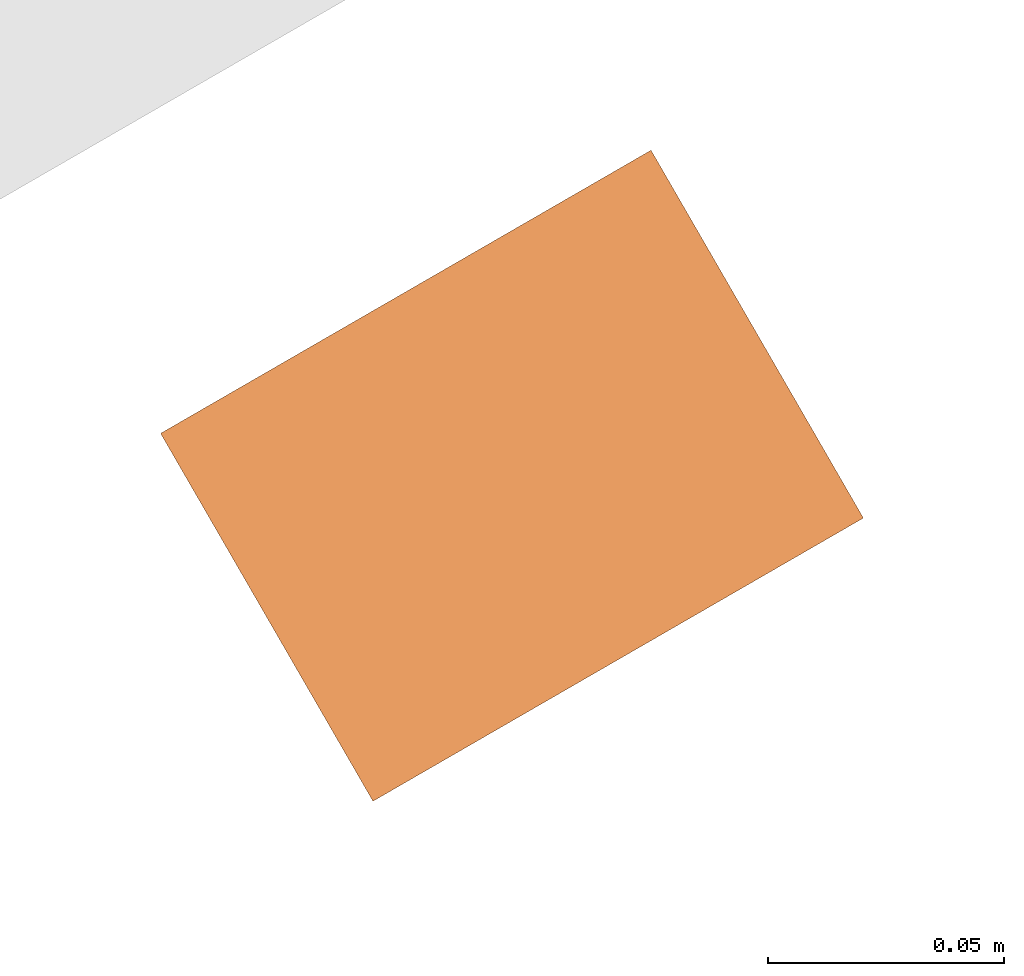
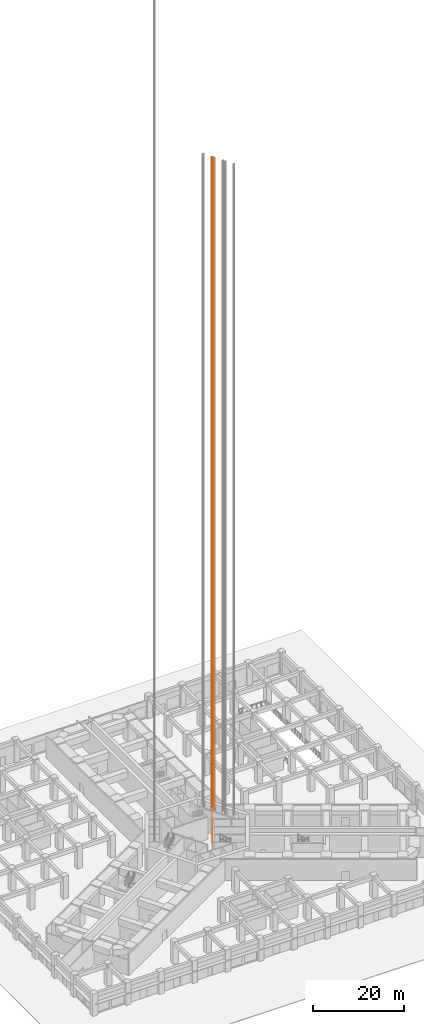
# One storey, part 32 of 33: 1 proxy.
"""IFC4 building model written with IfcOpenShell, lengths in metres."""

from ifc_helpers import new_model, si_unit, direction, frame, origin, origin_2d, place, context, subcontext, project, spatial, rectangle, extrude, material, type_object, element, save


model = new_model("IFC4")

# Units and contexts
model_context = context("Model", 3, precision=1e-05, world=origin(), true_north=direction((0.0, 1.0)))
body_context = subcontext(model_context, "Body", "Model", "MODEL_VIEW")
ifc_project = project(units=[si_unit("LENGTHUNIT", "METRE"), si_unit("AREAUNIT", "SQUARE_METRE"), si_unit("VOLUMEUNIT", "CUBIC_METRE"), si_unit("PLANEANGLEUNIT", "RADIAN"), si_unit("MASSUNIT", "GRAM", prefix="KILO")], contexts=[model_context])

# Site, building, storey
site_placement = place(None, origin())
site = spatial("IfcSite", under=ifc_project, at=site_placement, CompositionType="ELEMENT")
building_placement = place(site_placement, origin())
building = spatial("IfcBuilding", under=site, at=building_placement, Name="Impinga Residences", CompositionType="ELEMENT")
storey_placement = place(building_placement, origin())
storey = spatial("IfcBuildingStorey", under=building, at=storey_placement, Name="L00", CompositionType="ELEMENT", Elevation=0.0)

# Proxy
ifc_material = material(Name="Steel lift guide rail, galvanised", Category="steel")
building_element_proxy_type = type_object("IfcBuildingElementProxyType", Name="LGR lift guide rail", PredefinedType="USERDEFINED", material=ifc_material)
proxy_placement = place(storey_placement, frame((7.277099609375, 6.15869140625, -3.5), z_axis=(0.0, 0.0, 1.0), x_axis=(-0.5, 0.866025403784, 0.0)))
element("IfcBuildingElementProxy", 1, at=proxy_placement, inside=storey, type_object=building_element_proxy_type, Name="Guide rail P4 1", ObjectType="Lift guide rail", PredefinedType="USERDEFINED", context=body_context, shape_type="SweptSolid", body=[
    extrude(rectangle(XDim=0.090087890625, YDim=0.1201171875, at=origin_2d()), origin(), (0.0, 0.0, 1.0), 183.14990234375),
])

save(model, "model.ifc")
